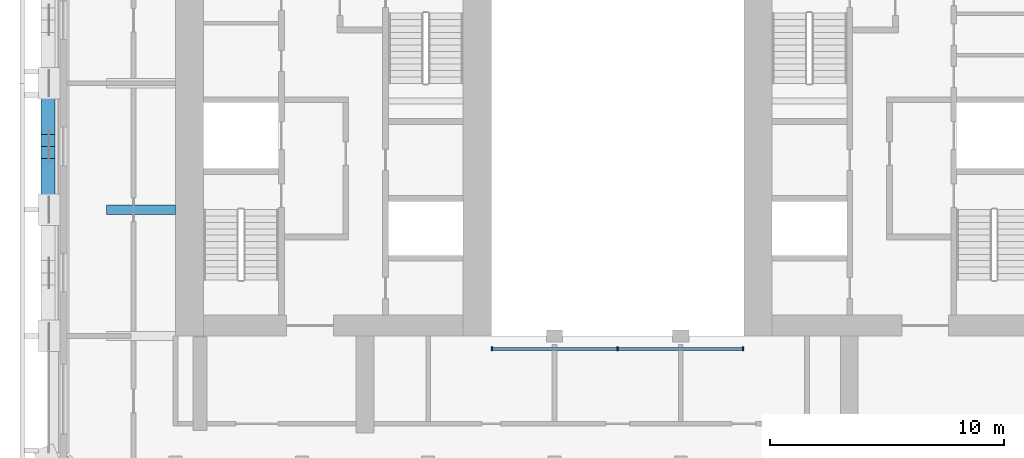
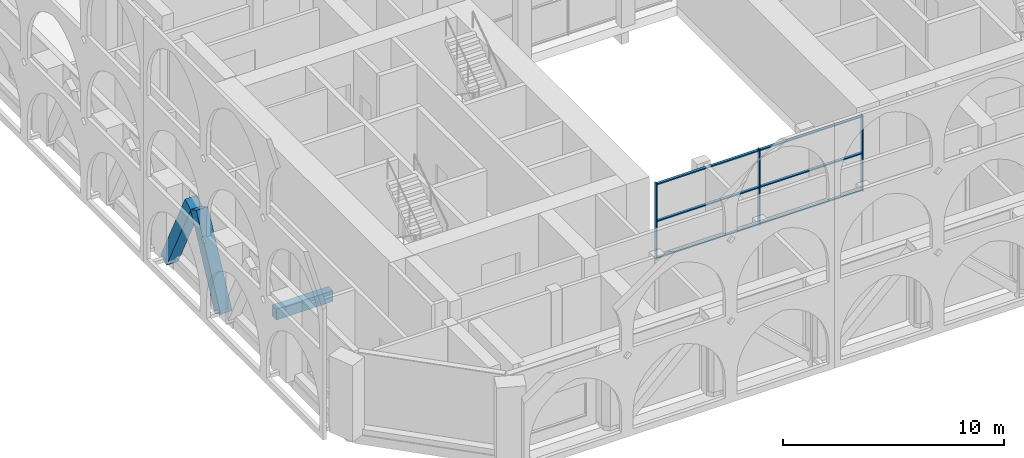
# One storey, part 2 of 16: 11 members, 1 beam, 1 element without a shape of its own.
"""IFC4 building model written with IfcOpenShell, lengths in metres."""

from ifc_helpers import new_model, si_unit, direction, frame, origin, origin_2d, place, context, subcontext, project, spatial, rectangle, extrude, material, material_profile, profile_set, type_object, element, aggregate, save


model = new_model("IFC4")

# Units and contexts
model_context = context("Model", 3, precision=1e-05, world=origin(), true_north=direction((0.0, 1.0)))
body_context = subcontext(model_context, "Body", "Model", "MODEL_VIEW")
ifc_project = project(units=[si_unit("LENGTHUNIT", "METRE"), si_unit("AREAUNIT", "SQUARE_METRE"), si_unit("VOLUMEUNIT", "CUBIC_METRE"), si_unit("PLANEANGLEUNIT", "RADIAN"), si_unit("MASSUNIT", "GRAM", prefix="KILO")], contexts=[model_context])

# Site, building, storey
site_placement = place(None, origin())
site = spatial("IfcSite", under=ifc_project, at=site_placement, CompositionType="ELEMENT")
building_placement = place(site_placement, origin())
building = spatial("IfcBuilding", under=site, at=building_placement, Name="Tabaq Tower and Sports Hall", CompositionType="ELEMENT")
storey_placement = place(building_placement, frame((0.0, 0.0, 308.199951171875)))
storey = spatial("IfcBuildingStorey", under=building, at=storey_placement, Name="L77", CompositionType="ELEMENT", Elevation=308.199951171875)

# Curtain wall, members
ifc_material_1 = material(Name="Aluminium alloy 6063-T6 framed glazing", Category="aluminium")
curtain_wall_type = type_object("IfcCurtainWallType", Name="CW1 curtain wall", PredefinedType="USERDEFINED", material=ifc_material_1)
curtain_wall_placement = place(storey_placement, origin())
curtain_wall = element("IfcCurtainWall", 1, at=curtain_wall_placement, inside=storey, type_object=curtain_wall_type, Name="Atrium glazing L77 S", ObjectType="ATRIUM ENCLOSURE", PredefinedType="USERDEFINED")
ifc_material_2 = material(Name="Aluminium alloy 6063-T6", Category="aluminium")
ifc_material_profile_1 = material_profile(ifc_material_2, rectangle(XDim=0.159912109375, YDim=0.06005859375, at=origin_2d()), Name="MULLION 160x60")
ifc_profile_set_1 = profile_set([ifc_material_profile_1], Name="Aluminium alloy 6063-T6")
member_type_1 = type_object("IfcMemberType", Name="CW1 mullion 160x60", PredefinedType="MULLION", material=ifc_profile_set_1)
member_1_placement = place(storey_placement, frame((18.929931640625, 15.64990234375, 0.0), z_axis=(0.0, 0.0, 1.0), x_axis=(0.0, 1.0, 0.0)))
member_1 = element("IfcMember", 2, at=member_1_placement, type_object=member_type_1, Name="CW1 mullion 1", PredefinedType="MULLION", context=body_context, shape_type="SweptSolid", body=[
    extrude(rectangle(XDim=0.159912109375, YDim=0.06005859375, at=origin_2d()), origin(), (0.0, 0.0, 1.0), 4.199951171875),
])
member_2_placement = place(storey_placement, frame((24.300048828125, 15.64990234375, 0.0), z_axis=(0.0, 0.0, 1.0), x_axis=(0.0, 1.0, 0.0)))
member_2 = element("IfcMember", 3, at=member_2_placement, type_object=member_type_1, Name="CW1 mullion 2", PredefinedType="MULLION", context=body_context, shape_type="SweptSolid", body=[
    extrude(rectangle(XDim=0.159912109375, YDim=0.06005859375, at=origin_2d()), origin(), (0.0, 0.0, 1.0), 4.199951171875),
])
member_3_placement = place(storey_placement, frame((29.669921875, 15.64990234375, 0.0), z_axis=(0.0, 0.0, 1.0), x_axis=(0.0, 1.0, 0.0)))
member_3 = element("IfcMember", 4, at=member_3_placement, type_object=member_type_1, Name="CW1 mullion 3", PredefinedType="MULLION", context=body_context, shape_type="SweptSolid", body=[
    extrude(rectangle(XDim=0.159912109375, YDim=0.06005859375, at=origin_2d()), origin(), (0.0, 0.0, 1.0), 4.199951171875),
])
ifc_material_3 = material(Name="Aluminium alloy 6063-T6", Category="aluminium")
ifc_material_profile_2 = material_profile(ifc_material_3, rectangle(XDim=0.139892578125, YDim=0.06005859375, at=origin_2d()), Name="TRANSOM 140x60")
ifc_profile_set_2 = profile_set([ifc_material_profile_2], Name="Aluminium alloy 6063-T6")
member_type_2 = type_object("IfcMemberType", Name="CW1 transom 140x60", PredefinedType="USERDEFINED", material=ifc_profile_set_2)
member_4_placement = place(storey_placement, frame((18.9599609375, 15.64990234375, 0.070068359375), z_axis=(1.0, 0.0, 0.0), x_axis=(0.0, 1.0, 0.0)))
member_4 = element("IfcMember", 5, at=member_4_placement, type_object=member_type_2, Name="CW1 transom 1.1", ObjectType="TRANSOM", PredefinedType="USERDEFINED", context=body_context, shape_type="SweptSolid", body=[
    extrude(rectangle(XDim=0.139892578125, YDim=0.06005859375, at=origin_2d()), origin(), (0.0, 0.0, 1.0), 5.31005859375),
])
member_5_placement = place(storey_placement, frame((18.9599609375, 15.64990234375, 2.10009765625), z_axis=(1.0, 0.0, 0.0), x_axis=(0.0, 1.0, 0.0)))
member_5 = element("IfcMember", 6, at=member_5_placement, type_object=member_type_2, Name="CW1 transom 1.2", ObjectType="TRANSOM", PredefinedType="USERDEFINED", context=body_context, shape_type="SweptSolid", body=[
    extrude(rectangle(XDim=0.139892578125, YDim=0.06005859375, at=origin_2d()), origin(), (0.0, 0.0, 1.0), 5.31005859375),
])
member_6_placement = place(storey_placement, frame((18.9599609375, 15.64990234375, 4.130126953125), z_axis=(1.0, 0.0, 0.0), x_axis=(0.0, 1.0, 0.0)))
member_6 = element("IfcMember", 7, at=member_6_placement, type_object=member_type_2, Name="CW1 transom 1.3", ObjectType="TRANSOM", PredefinedType="USERDEFINED", context=body_context, shape_type="SweptSolid", body=[
    extrude(rectangle(XDim=0.139892578125, YDim=0.06005859375, at=origin_2d()), origin(), (0.0, 0.0, 1.0), 5.31005859375),
])
member_7_placement = place(storey_placement, frame((24.330078125, 15.64990234375, 0.070068359375), z_axis=(1.0, 0.0, 0.0), x_axis=(0.0, 1.0, 0.0)))
member_7 = element("IfcMember", 8, at=member_7_placement, type_object=member_type_2, Name="CW1 transom 2.1", ObjectType="TRANSOM", PredefinedType="USERDEFINED", context=body_context, shape_type="SweptSolid", body=[
    extrude(rectangle(XDim=0.139892578125, YDim=0.06005859375, at=origin_2d()), origin(), (0.0, 0.0, 1.0), 5.309814453125),
])
member_8_placement = place(storey_placement, frame((24.330078125, 15.64990234375, 2.10009765625), z_axis=(1.0, 0.0, 0.0), x_axis=(0.0, 1.0, 0.0)))
member_8 = element("IfcMember", 9, at=member_8_placement, type_object=member_type_2, Name="CW1 transom 2.2", ObjectType="TRANSOM", PredefinedType="USERDEFINED", context=body_context, shape_type="SweptSolid", body=[
    extrude(rectangle(XDim=0.139892578125, YDim=0.06005859375, at=origin_2d()), origin(), (0.0, 0.0, 1.0), 5.309814453125),
])
member_9_placement = place(storey_placement, frame((24.330078125, 15.64990234375, 4.130126953125), z_axis=(1.0, 0.0, 0.0), x_axis=(0.0, 1.0, 0.0)))
member_9 = element("IfcMember", 10, at=member_9_placement, type_object=member_type_2, Name="CW1 transom 2.3", ObjectType="TRANSOM", PredefinedType="USERDEFINED", context=body_context, shape_type="SweptSolid", body=[
    extrude(rectangle(XDim=0.139892578125, YDim=0.06005859375, at=origin_2d()), origin(), (0.0, 0.0, 1.0), 5.309814453125),
])
aggregate(curtain_wall, [member_1, member_2, member_3, member_4, member_5, member_6, member_7, member_8, member_9])

# Beam
ifc_material_4 = material(Name="Concrete C40/50", Category="concrete")
ifc_material_profile_3 = material_profile(ifc_material_4, rectangle(XDim=0.39990234375, YDim=0.60009765625, at=origin_2d()), Name="CB 400x600")
ifc_profile_set_3 = profile_set([ifc_material_profile_3], Name="Concrete C40/50")
beam_type = type_object("IfcBeamType", Name="PT CANTILEVER BEAM CB 400x600 C40/50", PredefinedType="BEAM", material=ifc_profile_set_3)
beam_placement = place(storey_placement, frame((2.449951171875, 21.60009765625, -0.800048828125), z_axis=(1.0, 0.0, 0.0), x_axis=(0.0, 1.0, 0.0)))
element("IfcBeam", 11, at=beam_placement, inside=storey, type_object=beam_type, Name="Cantilever Beam L77 W4 span 1", PredefinedType="BEAM", context=body_context, shape_type="SweptSolid", body=[
    extrude(rectangle(XDim=0.39990234375, YDim=0.60009765625, at=origin_2d()), origin(), (0.0, 0.0, 1.0), 2.949951171875),
])

# Members
ifc_material_5 = material(Name="Concrete C40/50", Category="concrete")
ifc_material_profile_4 = material_profile(ifc_material_5, rectangle(XDim=0.60009765625, YDim=0.60009765625, at=origin_2d()), Name="TRANSFER BAND BRACE 600x600")
ifc_profile_set_4 = profile_set([ifc_material_profile_4], Name="Concrete C40/50")
member_type_3 = type_object("IfcMemberType", Name="RC TRANSFER BAND BRACE 600x600 C40/50", PredefinedType="BRACE", material=ifc_profile_set_4)
for number, where, z_axis, x_axis, name in (
    (12, (-0.050048828125, 21.85009765625, -0.050048828125), (0.0, 0.447193744375, 0.894437116287), (-1.0, 0.0, 0.0), "Transfer Band Brace L77 West 11"),
    (13, (-0.050048828125, 26.75, -0.050048828125), (0.0, -0.447193744375, 0.894437116287), (1.0, 0.0, 0.0), "Transfer Band Brace L77 West 12"),
):
    element("IfcMember", number, at=place(storey_placement, frame(where, z_axis=z_axis, x_axis=x_axis)), inside=storey, type_object=member_type_3, Name=name, PredefinedType="BRACE", context=body_context, shape_type="SweptSolid", body=[
        extrude(rectangle(XDim=0.60009765625, YDim=0.60009765625, at=origin_2d()), origin(), (0.0, 0.0, 1.0), 4.91943359375),
    ])

save(model, "model.ifc")
